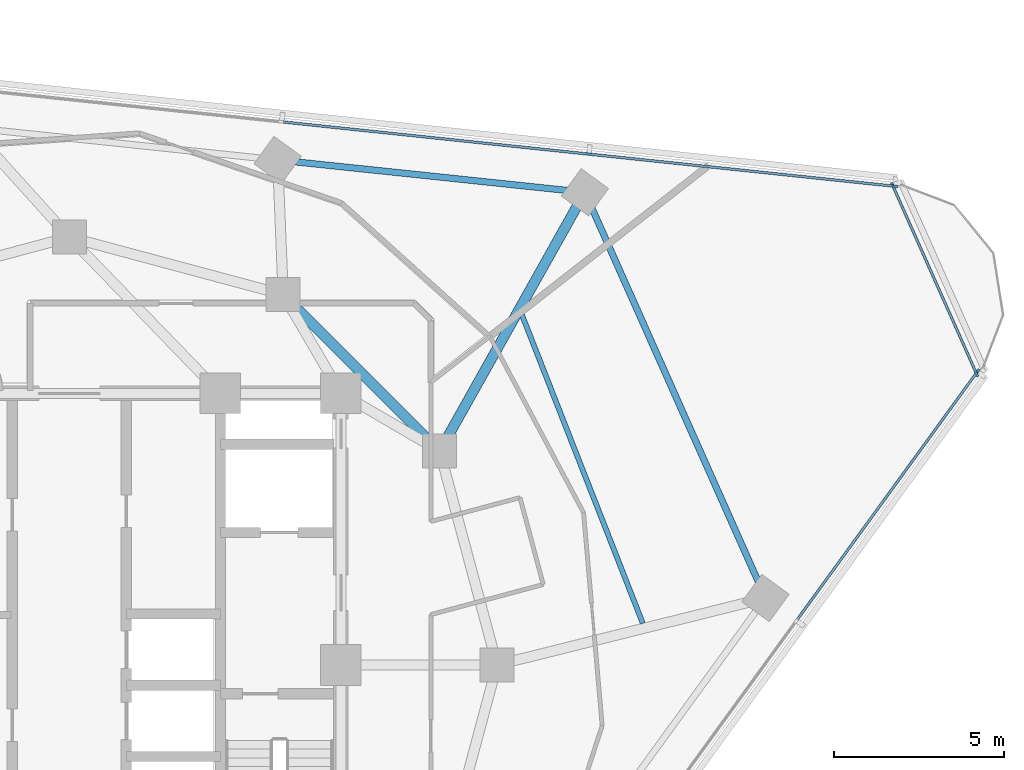
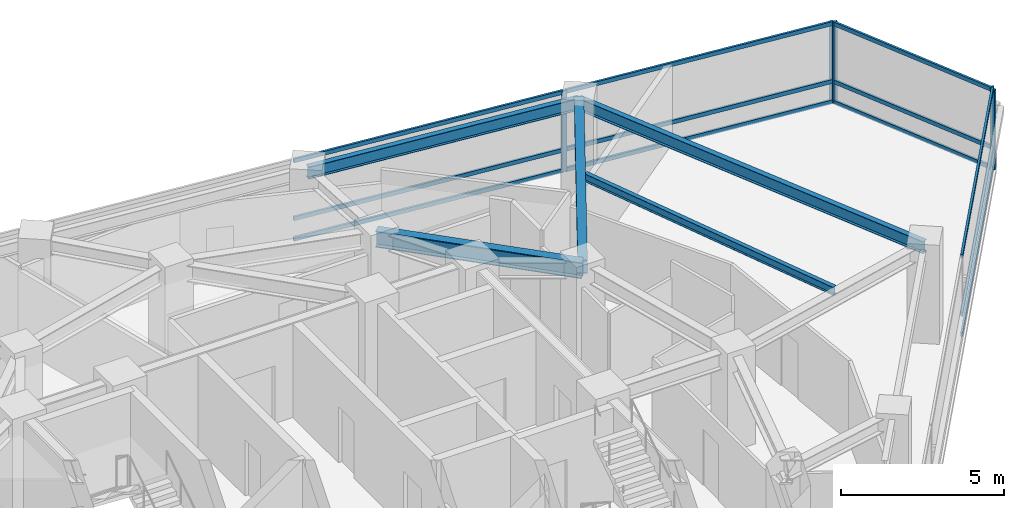
# One storey, part 6 of 14: 17 members, 5 beams, 3 elements without a shape of their own.
"""IFC4 building model written with IfcOpenShell, lengths in metres."""

from ifc_helpers import new_model, si_unit, direction, frame, origin, origin_2d, place, context, subcontext, project, spatial, rectangle, i_section, extrude, material, layer, layer_set, material_profile, profile_set, type_object, element, aggregate, save


model = new_model("IFC4")

# Units and contexts
model_context = context("Model", 3, precision=1e-05, world=origin(), true_north=direction((0.0, 1.0)))
body_context = subcontext(model_context, "Body", "Model", "MODEL_VIEW")
ifc_project = project(units=[si_unit("LENGTHUNIT", "METRE"), si_unit("AREAUNIT", "SQUARE_METRE"), si_unit("VOLUMEUNIT", "CUBIC_METRE"), si_unit("PLANEANGLEUNIT", "RADIAN"), si_unit("MASSUNIT", "GRAM", prefix="KILO")], contexts=[model_context])

# Site, building, storey
site_placement = place(None, origin())
site = spatial("IfcSite", under=ifc_project, at=site_placement, CompositionType="ELEMENT")
building_placement = place(site_placement, origin())
building = spatial("IfcBuilding", under=site, at=building_placement, Name="Terralouvre Media Tower", CompositionType="ELEMENT")
storey_placement = place(building_placement, frame((0.0, 0.0, 222.60009765625)))
storey = spatial("IfcBuildingStorey", under=building, at=storey_placement, Name="L57", CompositionType="ELEMENT", Elevation=222.60009765625)

# Beam
ifc_material_1 = material(Name="Structural steel S355J2", Category="steel")
ifc_material_profile_1 = material_profile(ifc_material_1, i_section(OverallWidth=0.14990234375, OverallDepth=0.300048828125, WebThickness=0.007080078125, FlangeThickness=0.0107421875, at=origin_2d()), Name="IPE 300")
ifc_profile_set_1 = profile_set([ifc_material_profile_1], Name="Structural steel S355J2")
beam_type_1 = type_object("IfcBeamType", Name="Composite Floor Joist J-IPE300 (IPE 300)", PredefinedType="JOIST", material=ifc_profile_set_1)
beam_1_placement = place(storey_placement, frame((16.89599609375, 1.2236328125, 3.349853515625), z_axis=(-0.364828295423, 0.931074817004, 0.0), x_axis=(-0.931074817004, -0.364828295423, 0.0)))
element("IfcBeam", 1, at=beam_1_placement, inside=storey, type_object=beam_type_1, Name="L57 Framing Beam JT-L57-03", PredefinedType="JOIST", context=body_context, shape_type="SweptSolid", body=[
    extrude(i_section(OverallWidth=0.14990234375, OverallDepth=0.300048828125, WebThickness=0.007080078125, FlangeThickness=0.0107421875, at=origin_2d()), origin(), (0.0, 0.0, 1.0), 9.763427734375),
])

# Curtain wall, members
ifc_material_2 = material(Name="Low-iron laminated double glazing with solar-control coating", Category="glass")
ifc_layer_1 = layer(ifc_material_2, 0.1650390625, Name="Upper Executive Tower Curtain Wall CW-05")
ifc_layer_set_1 = layer_set([ifc_layer_1], Name="Low-iron laminated double glazing with solar-control coating")
curtain_wall_type_1 = type_object("IfcCurtainWallType", Name="Upper Executive Tower Curtain Wall CW-05", PredefinedType="NOTDEFINED", material=ifc_layer_set_1)
curtain_wall_1_placement = place(storey_placement, origin())
curtain_wall_1 = element("IfcCurtainWall", 2, at=curtain_wall_1_placement, inside=storey, type_object=curtain_wall_type_1, Name="L57 Facade Curtain Wall F0", PredefinedType="NOTDEFINED")
ifc_material_3 = material(Name="Anodised extruded aluminium 6063-T6", Category="aluminium")
ifc_material_profile_2 = material_profile(ifc_material_3, rectangle(XDim=0.074951171875, YDim=0.14990234375, at=origin_2d()), Name="ALU 75x150")
ifc_profile_set_2 = profile_set([ifc_material_profile_2], Name="Anodised extruded aluminium 6063-T6")
member_type_1 = type_object("IfcMemberType", Name="Curtain-Wall Horizontal Transom TR-150", PredefinedType="USERDEFINED", material=ifc_profile_set_2)
member_1_placement = place(storey_placement, frame((21.446533203125, 1.3369140625, 0.037353515625), z_axis=(0.587787215692, 0.809015567878, 0.0), x_axis=(-0.809015567878, 0.587787215692, 0.0)))
member_1 = element("IfcMember", 3, at=member_1_placement, type_object=member_type_1, Name="CW-05 transom 5.1", ObjectType="TRANSOM", PredefinedType="USERDEFINED", context=body_context, shape_type="SweptSolid", body=[
    extrude(rectangle(XDim=0.074951171875, YDim=0.14990234375, at=origin_2d()), origin(), (0.0, 0.0, 1.0), 8.987548828125),
])
member_2_placement = place(storey_placement, frame((21.446533203125, 1.3369140625, 0.7998046875), z_axis=(0.587787215692, 0.809015567878, 0.0), x_axis=(-0.809015567878, 0.587787215692, 0.0)))
member_2 = element("IfcMember", 4, at=member_2_placement, type_object=member_type_1, Name="CW-05 transom 5.2", ObjectType="TRANSOM", PredefinedType="USERDEFINED", context=body_context, shape_type="SweptSolid", body=[
    extrude(rectangle(XDim=0.074951171875, YDim=0.14990234375, at=origin_2d()), origin(), (0.0, 0.0, 1.0), 8.987548828125),
])
member_3_placement = place(storey_placement, frame((21.446533203125, 1.3369140625, 2.96240234375), z_axis=(0.587787215692, 0.809015567878, 0.0), x_axis=(-0.809015567878, 0.587787215692, 0.0)))
member_3 = element("IfcMember", 5, at=member_3_placement, type_object=member_type_1, Name="CW-05 transom 5.3", ObjectType="TRANSOM", PredefinedType="USERDEFINED", context=body_context, shape_type="SweptSolid", body=[
    extrude(rectangle(XDim=0.074951171875, YDim=0.14990234375, at=origin_2d()), origin(), (0.0, 0.0, 1.0), 8.987548828125),
])

curtain_wall_2_placement = place(storey_placement, origin())
curtain_wall_2 = element("IfcCurtainWall", 6, at=curtain_wall_2_placement, inside=storey, type_object=curtain_wall_type_1, Name="L57 Facade Curtain Wall F1", PredefinedType="NOTDEFINED")
member_4_placement = place(storey_placement, frame((24.2822265625, 14.103759765625, 0.037353515625), z_axis=(-0.994521813919, 0.104529238206, 0.0), x_axis=(-0.104529238206, -0.994521813919, 0.0)))
member_4 = element("IfcMember", 7, at=member_4_placement, type_object=member_type_1, Name="CW-05 transom 1.1", ObjectType="TRANSOM", PredefinedType="USERDEFINED", context=body_context, shape_type="SweptSolid", body=[
    extrude(rectangle(XDim=0.074951171875, YDim=0.14990234375, at=origin_2d()), origin(), (0.0, 0.0, 1.0), 8.987548828125),
])
member_5_placement = place(storey_placement, frame((24.2822265625, 14.103759765625, 0.7998046875), z_axis=(-0.994521813919, 0.104529238206, 0.0), x_axis=(-0.104529238206, -0.994521813919, 0.0)))
member_5 = element("IfcMember", 8, at=member_5_placement, type_object=member_type_1, Name="CW-05 transom 1.2", ObjectType="TRANSOM", PredefinedType="USERDEFINED", context=body_context, shape_type="SweptSolid", body=[
    extrude(rectangle(XDim=0.074951171875, YDim=0.14990234375, at=origin_2d()), origin(), (0.0, 0.0, 1.0), 8.987548828125),
])
member_6_placement = place(storey_placement, frame((24.2822265625, 14.103759765625, 2.96240234375), z_axis=(-0.994521813919, 0.104529238206, 0.0), x_axis=(-0.104529238206, -0.994521813919, 0.0)))
member_6 = element("IfcMember", 9, at=member_6_placement, type_object=member_type_1, Name="CW-05 transom 1.3", ObjectType="TRANSOM", PredefinedType="USERDEFINED", context=body_context, shape_type="SweptSolid", body=[
    extrude(rectangle(XDim=0.074951171875, YDim=0.14990234375, at=origin_2d()), origin(), (0.0, 0.0, 1.0), 8.987548828125),
])
member_7_placement = place(storey_placement, frame((15.26953125, 15.051025390625, 0.037353515625), z_axis=(-0.994522041896, 0.104527069141, 0.0), x_axis=(-0.104527069141, -0.994522041896, 0.0)))
member_7 = element("IfcMember", 10, at=member_7_placement, type_object=member_type_1, Name="CW-05 transom 2.1", ObjectType="TRANSOM", PredefinedType="USERDEFINED", context=body_context, shape_type="SweptSolid", body=[
    extrude(rectangle(XDim=0.074951171875, YDim=0.14990234375, at=origin_2d()), origin(), (0.0, 0.0, 1.0), 9.025146484375),
])
member_8_placement = place(storey_placement, frame((15.26953125, 15.051025390625, 0.7998046875), z_axis=(-0.994522041896, 0.104527069141, 0.0), x_axis=(-0.104527069141, -0.994522041896, 0.0)))
member_8 = element("IfcMember", 11, at=member_8_placement, type_object=member_type_1, Name="CW-05 transom 2.2", ObjectType="TRANSOM", PredefinedType="USERDEFINED", context=body_context, shape_type="SweptSolid", body=[
    extrude(rectangle(XDim=0.074951171875, YDim=0.14990234375, at=origin_2d()), origin(), (0.0, 0.0, 1.0), 9.025146484375),
])
member_9_placement = place(storey_placement, frame((15.26953125, 15.051025390625, 2.96240234375), z_axis=(-0.994522041896, 0.104527069141, 0.0), x_axis=(-0.104527069141, -0.994522041896, 0.0)))
member_9 = element("IfcMember", 12, at=member_9_placement, type_object=member_type_1, Name="CW-05 transom 2.3", ObjectType="TRANSOM", PredefinedType="USERDEFINED", context=body_context, shape_type="SweptSolid", body=[
    extrude(rectangle(XDim=0.074951171875, YDim=0.14990234375, at=origin_2d()), origin(), (0.0, 0.0, 1.0), 9.025146484375),
])

ifc_material_4 = material(Name="Low-iron laminated double glazing with solar-control coating", Category="glass")
ifc_layer_2 = layer(ifc_material_4, 0.1650390625, Name="Rounded Wind-Corner Curved Glazing CW-04")
ifc_layer_set_2 = layer_set([ifc_layer_2], Name="Low-iron laminated double glazing with solar-control coating")
curtain_wall_type_2 = type_object("IfcCurtainWallType", Name="Rounded Wind-Corner Curved Glazing CW-04", PredefinedType="NOTDEFINED", material=ifc_layer_set_2)
curtain_wall_3_placement = place(storey_placement, origin())
curtain_wall_3 = element("IfcCurtainWall", 13, at=curtain_wall_3_placement, inside=storey, type_object=curtain_wall_type_2, Name="L57 Rounded Wind-Corner Curtain Wall C1", PredefinedType="NOTDEFINED")
member_10_placement = place(storey_placement, frame((26.7119140625, 8.609619140625, 0.037353515625), z_axis=(-0.406735002592, 0.913546188031, 0.0), x_axis=(-0.913546188031, -0.406735002592, 0.0)))
member_10 = element("IfcMember", 14, at=member_10_placement, type_object=member_type_1, Name="CW-04 transom 1.1", ObjectType="TRANSOM", PredefinedType="USERDEFINED", context=body_context, shape_type="SweptSolid", body=[
    extrude(rectangle(XDim=0.074951171875, YDim=0.14990234375, at=origin_2d()), origin(), (0.0, 0.0, 1.0), 5.998779296875),
])
member_11_placement = place(storey_placement, frame((26.7119140625, 8.609619140625, 0.7998046875), z_axis=(-0.406735002592, 0.913546188031, 0.0), x_axis=(-0.913546188031, -0.406735002592, 0.0)))
member_11 = element("IfcMember", 15, at=member_11_placement, type_object=member_type_1, Name="CW-04 transom 1.2", ObjectType="TRANSOM", PredefinedType="USERDEFINED", context=body_context, shape_type="SweptSolid", body=[
    extrude(rectangle(XDim=0.074951171875, YDim=0.14990234375, at=origin_2d()), origin(), (0.0, 0.0, 1.0), 5.998779296875),
])
member_12_placement = place(storey_placement, frame((26.7119140625, 8.609619140625, 2.96240234375), z_axis=(-0.406735002592, 0.913546188031, 0.0), x_axis=(-0.913546188031, -0.406735002592, 0.0)))
member_12 = element("IfcMember", 16, at=member_12_placement, type_object=member_type_1, Name="CW-04 transom 1.3", ObjectType="TRANSOM", PredefinedType="USERDEFINED", context=body_context, shape_type="SweptSolid", body=[
    extrude(rectangle(XDim=0.074951171875, YDim=0.14990234375, at=origin_2d()), origin(), (0.0, 0.0, 1.0), 5.998779296875),
])

# Member
ifc_material_5 = material(Name="Anodised extruded aluminium 6063-T6", Category="aluminium")
ifc_material_profile_3 = material_profile(ifc_material_5, rectangle(XDim=0.074951171875, YDim=0.179931640625, at=origin_2d()), Name="ALU 75x180")
ifc_profile_set_3 = profile_set([ifc_material_profile_3], Name="Anodised extruded aluminium 6063-T6")
member_type_2 = type_object("IfcMemberType", Name="Curtain-Wall Vertical Mullion ML-180", PredefinedType="MULLION", material=ifc_profile_set_3)
member_13_placement = place(storey_placement, frame((26.751220703125, 8.63818359375, 0.0), z_axis=(0.0, 0.0, 1.0), x_axis=(-0.809016959074, 0.587785300879, 0.0)))
member_13 = element("IfcMember", 17, at=member_13_placement, type_object=member_type_2, Name="CW-05 mullion 6", PredefinedType="MULLION", context=body_context, shape_type="SweptSolid", body=[
    extrude(rectangle(XDim=0.074951171875, YDim=0.179931640625, at=origin_2d()), origin(), (0.0, 0.0, 1.0), 3.0),
])

aggregate(curtain_wall_1, [member_13, member_1, member_2, member_3])

member_14_placement = place(storey_placement, frame((24.319580078125, 14.099853515625, 0.0), z_axis=(0.0, 0.0, 1.0), x_axis=(-0.104528561651, -0.994521885028, 0.0)))
member_14 = element("IfcMember", 18, at=member_14_placement, type_object=member_type_2, Name="CW-05 mullion 1", PredefinedType="MULLION", context=body_context, shape_type="SweptSolid", body=[
    extrude(rectangle(XDim=0.074951171875, YDim=0.179931640625, at=origin_2d()), origin(), (0.0, 0.0, 1.0), 3.0),
])

member_15_placement = place(storey_placement, frame((15.306640625, 15.047119140625, 0.0), z_axis=(0.0, 0.0, 1.0), x_axis=(-0.104528561651, -0.994521885028, 0.0)))
member_15 = element("IfcMember", 19, at=member_15_placement, type_object=member_type_2, Name="CW-05 mullion 2", PredefinedType="MULLION", context=body_context, shape_type="SweptSolid", body=[
    extrude(rectangle(XDim=0.074951171875, YDim=0.179931640625, at=origin_2d()), origin(), (0.0, 0.0, 1.0), 3.0),
])

aggregate(curtain_wall_2, [member_14, member_15, member_4, member_5, member_6, member_7, member_8, member_9])

member_16_placement = place(storey_placement, frame((26.727294921875, 8.575439453125, 0.0), z_axis=(0.0, 0.0, 1.0), x_axis=(-0.913545102243, -0.406737441315, 0.0)))
member_16 = element("IfcMember", 20, at=member_16_placement, type_object=member_type_2, Name="CW-04 mullion 1", PredefinedType="MULLION", context=body_context, shape_type="SweptSolid", body=[
    extrude(rectangle(XDim=0.074951171875, YDim=0.179931640625, at=origin_2d()), origin(), (0.0, 0.0, 1.0), 3.0),
])

member_17_placement = place(storey_placement, frame((24.2568359375, 14.1240234375, 0.0), z_axis=(0.0, 0.0, 1.0), x_axis=(-0.913545102243, -0.406737441315, 0.0)))
member_17 = element("IfcMember", 21, at=member_17_placement, type_object=member_type_2, Name="CW-04 mullion 2", PredefinedType="MULLION", context=body_context, shape_type="SweptSolid", body=[
    extrude(rectangle(XDim=0.074951171875, YDim=0.179931640625, at=origin_2d()), origin(), (0.0, 0.0, 1.0), 3.0),
])

aggregate(curtain_wall_3, [member_16, member_17, member_10, member_11, member_12])

# Beams
ifc_material_6 = material(Name="Structural steel S355J2", Category="steel")
ifc_material_profile_4 = material_profile(ifc_material_6, i_section(OverallWidth=0.18994140625, OverallDepth=0.449951171875, WebThickness=0.009521484375, FlangeThickness=0.0146484375, at=origin_2d()), Name="IPE 450")
ifc_profile_set_4 = profile_set([ifc_material_profile_4], Name="Structural steel S355J2")
beam_type_2 = type_object("IfcBeamType", Name="Perimeter Spandrel Beam SPB-450 (IPE 450)", PredefinedType="SPANDREL", material=ifc_profile_set_4)
beam_2_placement = place(storey_placement, frame((20.51025390625, 1.970703125, 3.27490234375), z_axis=(-0.406744336382, 0.913542032323, 0.0), x_axis=(-0.913542032323, -0.406744336382, 0.0)))
element("IfcBeam", 22, at=beam_2_placement, inside=storey, type_object=beam_type_2, Name="L57 Framing Beam BM-L57-PR07", PredefinedType="SPANDREL", context=body_context, shape_type="SweptSolid", body=[
    extrude(i_section(OverallWidth=0.18994140625, OverallDepth=0.449951171875, WebThickness=0.009521484375, FlangeThickness=0.0146484375, at=origin_2d()), origin(), (0.0, 0.0, 1.0), 13.083740234375),
])
beam_3_placement = place(storey_placement, frame((15.1884765625, 13.92333984375, 3.27490234375), z_axis=(-0.994522199081, 0.104525573596, 0.0), x_axis=(-0.104525573596, -0.994522199081, 0.0)))
element("IfcBeam", 23, at=beam_3_placement, inside=storey, type_object=beam_type_2, Name="L57 Framing Beam BM-L57-PR08", PredefinedType="SPANDREL", context=body_context, shape_type="SweptSolid", body=[
    extrude(i_section(OverallWidth=0.18994140625, OverallDepth=0.449951171875, WebThickness=0.009521484375, FlangeThickness=0.0146484375, at=origin_2d()), origin(), (0.0, 0.0, 1.0), 9.099853515625),
])
ifc_material_7 = material(Name="Structural steel S355J2", Category="steel")
ifc_material_profile_5 = material_profile(ifc_material_7, i_section(OverallWidth=0.300048828125, OverallDepth=0.5, WebThickness=0.014404296875, FlangeThickness=0.028076171875, at=origin_2d()), Name="HEB 500")
ifc_profile_set_5 = profile_set([ifc_material_profile_5], Name="Structural steel S355J2")
beam_type_3 = type_object("IfcBeamType", Name="Primary Floor Girder B-HEB500 (HEB 500)", PredefinedType="BEAM", material=ifc_profile_set_5)
beam_4_placement = place(storey_placement, frame((10.911865234375, 6.300048828125, 3.25), z_axis=(0.489262374018, 0.872136646042, 0.0), x_axis=(-0.872136646042, 0.489262374018, 0.0)))
element("IfcBeam", 24, at=beam_4_placement, inside=storey, type_object=beam_type_3, Name="L57 Framing Beam BM-L57-RD08", PredefinedType="BEAM", context=body_context, shape_type="SweptSolid", body=[
    extrude(i_section(OverallWidth=0.300048828125, OverallDepth=0.5, WebThickness=0.014404296875, FlangeThickness=0.028076171875, at=origin_2d()), origin(), (0.0, 0.0, 1.0), 8.740966796875),
])
ifc_material_8 = material(Name="Structural steel S460M", Category="steel")
ifc_material_profile_6 = material_profile(ifc_material_8, i_section(OverallWidth=0.300048828125, OverallDepth=0.60009765625, WebThickness=0.015380859375, FlangeThickness=0.030029296875, at=origin_2d()), Name="HEB 600")
ifc_profile_set_6 = profile_set([ifc_material_profile_6], Name="Structural steel S460M")
beam_type_4 = type_object("IfcBeamType", Name="Primary Floor Girder B-HEB600 (HEB 600)", PredefinedType="BEAM", material=ifc_profile_set_6)
beam_5_placement = place(storey_placement, frame((10.911865234375, 6.300048828125, 3.199951171875), z_axis=(-0.707106781187, 0.707106781187, 0.0), x_axis=(-0.707106781187, -0.707106781187, 0.0)))
element("IfcBeam", 25, at=beam_5_placement, inside=storey, type_object=beam_type_4, Name="L57 Framing Beam BM-L57-MR07", PredefinedType="BEAM", context=body_context, shape_type="SweptSolid", body=[
    extrude(i_section(OverallWidth=0.300048828125, OverallDepth=0.60009765625, WebThickness=0.015380859375, FlangeThickness=0.030029296875, at=origin_2d()), origin(), (0.0, 0.0, 1.0), 6.52197265625),
])

save(model, "model.ifc")
